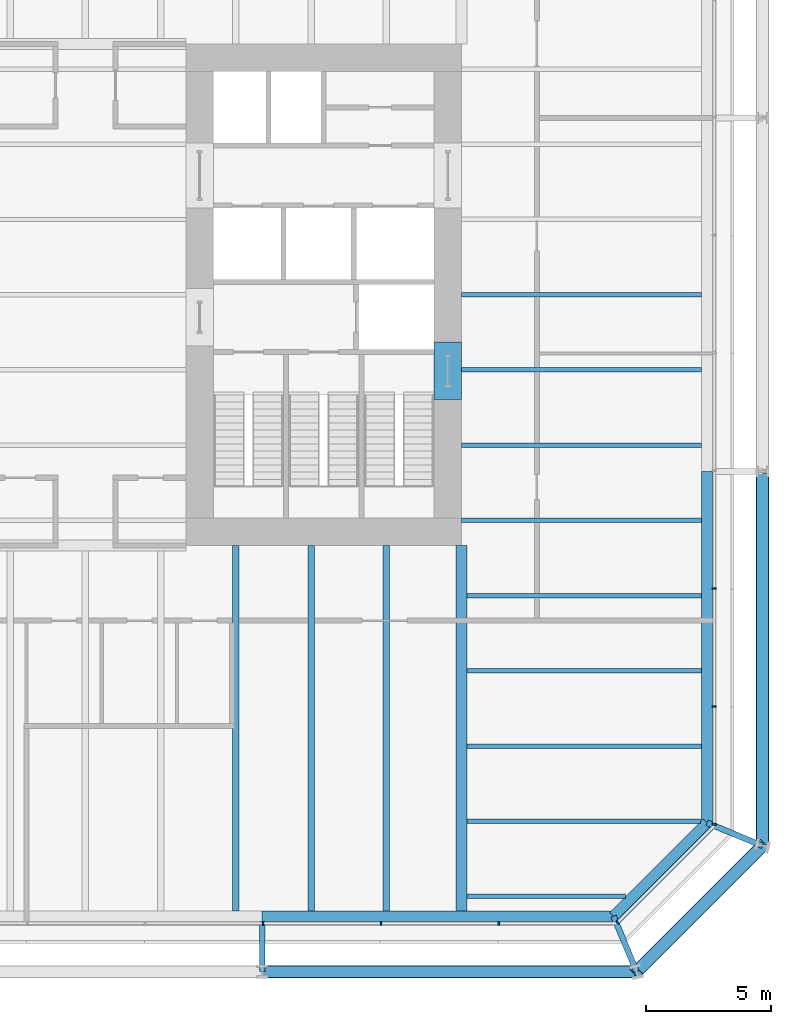
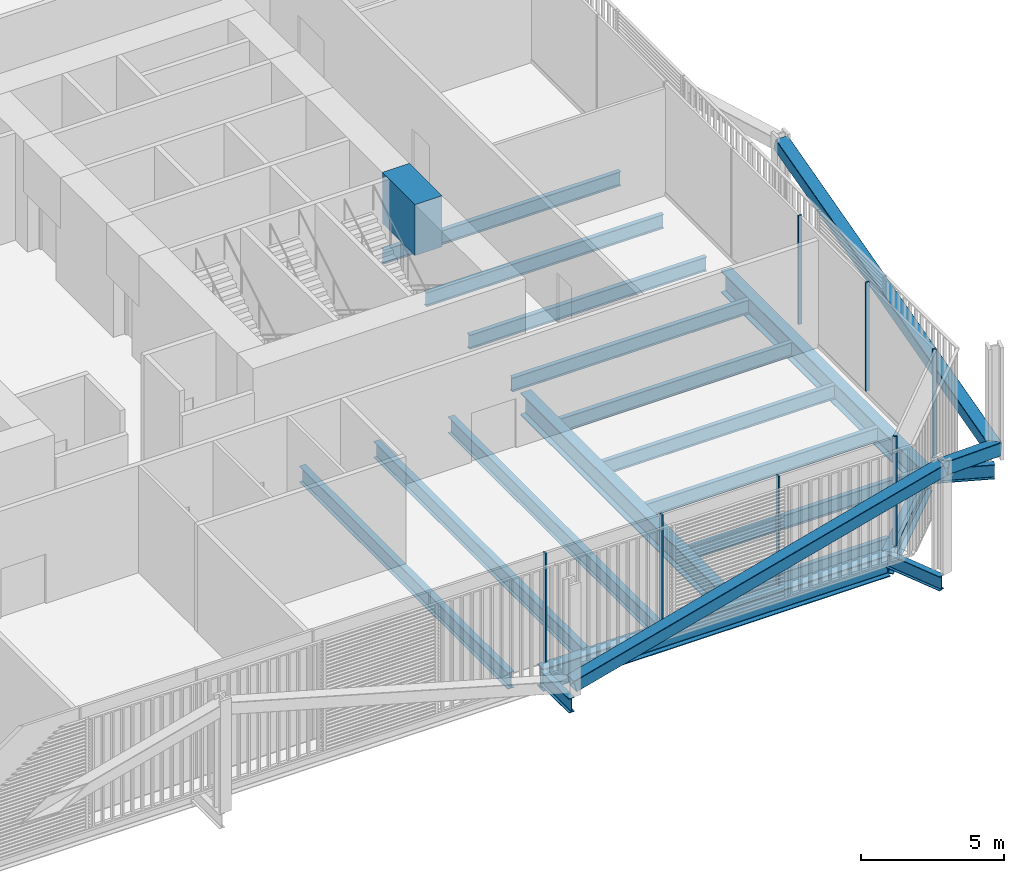
# One storey, part 8 of 22: 20 beams, 11 members, 3 elements without a shape of their own.
"""IFC4 building model written with IfcOpenShell, lengths in metres."""

from ifc_helpers import new_model, si_unit, direction, frame, origin, origin_2d, place, context, subcontext, project, spatial, rectangle, hollow_rectangle, i_section, extrude, material, layer, layer_set, material_profile, profile_set, type_object, element, aggregate, save


model = new_model("IFC4")

# Units and contexts
model_context = context("Model", 3, precision=1e-05, world=origin(), true_north=direction((0.0, 1.0)))
body_context = subcontext(model_context, "Body", "Model", "MODEL_VIEW")
ifc_project = project(units=[si_unit("LENGTHUNIT", "METRE"), si_unit("AREAUNIT", "SQUARE_METRE"), si_unit("VOLUMEUNIT", "CUBIC_METRE"), si_unit("PLANEANGLEUNIT", "RADIAN"), si_unit("MASSUNIT", "GRAM", prefix="KILO")], contexts=[model_context])

# Site, building, storey
site_placement = place(None, origin())
site = spatial("IfcSite", under=ifc_project, at=site_placement, CompositionType="ELEMENT")
building_placement = place(site_placement, origin())
building = spatial("IfcBuilding", under=site, at=building_placement, Name="Millrace Tower", CompositionType="ELEMENT")
storey_placement = place(building_placement, frame((0.0, 0.0, 30.5)))
storey = spatial("IfcBuildingStorey", under=building, at=storey_placement, Name="L07", CompositionType="ELEMENT", Elevation=30.5)

# Curtain wall, members
ifc_material_1 = material(Name="Aluminium and glass", Category="aluminium")
ifc_layer = layer(ifc_material_1, 0.14990234375)
ifc_layer_set = layer_set([ifc_layer], Name="Aluminium and glass")
curtain_wall_type = type_object("IfcCurtainWallType", Name="CW-2 data hall insulated curtain wall", PredefinedType="NOTDEFINED", material=ifc_layer_set)
placement = place(storey_placement, origin())
curtain_wall_1 = element("IfcCurtainWall", 1, at=placement, inside=storey, type_object=curtain_wall_type, Name="Curtain wall A-F02 L07", PredefinedType="NOTDEFINED")
ifc_material_2 = material(Name="Aluminium", Category="aluminium")
ifc_material_profile_1 = material_profile(ifc_material_2, rectangle(XDim=0.06494140625, YDim=0.14990234375, at=origin_2d()))
ifc_profile_set_1 = profile_set([ifc_material_profile_1], Name="Aluminium")
member_type_1 = type_object("IfcMemberType", Name="CW-2 data hall insulated curtain wall mullion", PredefinedType="MULLION", material=ifc_profile_set_1)
member_1_placement = place(storey_placement, frame((7.08251953125, -25.074951171875, 0.159912109375), z_axis=(0.0, 0.0, 1.0), x_axis=(1.0, 0.0, 0.0)))
member_1 = element("IfcMember", 2, at=member_1_placement, type_object=member_type_1, Name="CW2 mullion A-F02.7", PredefinedType="MULLION", context=body_context, shape_type="SweptSolid", body=[
    extrude(rectangle(XDim=0.06494140625, YDim=0.14990234375, at=origin_2d()), origin(), (0.0, 0.0, 1.0), 4.64013671875),
])
member_2_placement = place(storey_placement, frame((11.782470703125, -25.074951171875, 0.159912109375), z_axis=(0.0, 0.0, 1.0), x_axis=(1.0, 0.0, 0.0)))
member_2 = element("IfcMember", 3, at=member_2_placement, type_object=member_type_1, Name="CW2 mullion A-F02.8", PredefinedType="MULLION", context=body_context, shape_type="SweptSolid", body=[
    extrude(rectangle(XDim=0.06494140625, YDim=0.14990234375, at=origin_2d()), origin(), (0.0, 0.0, 1.0), 4.64013671875),
])
member_3_placement = place(storey_placement, frame((16.482421875, -25.074951171875, 0.159912109375), z_axis=(0.0, 0.0, 1.0), x_axis=(1.0, 0.0, 0.0)))
member_3 = element("IfcMember", 4, at=member_3_placement, type_object=member_type_1, Name="CW2 mullion A-F02.9", PredefinedType="MULLION", context=body_context, shape_type="SweptSolid", body=[
    extrude(rectangle(XDim=0.06494140625, YDim=0.14990234375, at=origin_2d()), origin(), (0.0, 0.0, 1.0), 4.64013671875),
])
aggregate(curtain_wall_1, [member_1, member_2, member_3])

# Curtain wall, member
curtain_wall_2 = element("IfcCurtainWall", 5, at=placement, inside=storey, type_object=curtain_wall_type, Name="Curtain wall A-F03 L07", PredefinedType="NOTDEFINED")
member_4_placement = place(storey_placement, frame((21.22607421875, -25.030029296875, 0.159912109375), z_axis=(0.0, 0.0, 1.0), x_axis=(0.707106781187, 0.707106781187, 0.0)))
member_4 = element("IfcMember", 6, at=member_4_placement, type_object=member_type_1, Name="CW2 mullion A-F03.1", PredefinedType="MULLION", context=body_context, shape_type="SweptSolid", body=[
    extrude(rectangle(XDim=0.06494140625, YDim=0.14990234375, at=origin_2d()), origin(), (0.0, 0.0, 1.0), 4.64013671875),
])

# Curtain wall, members
curtain_wall_3 = element("IfcCurtainWall", 7, at=placement, inside=storey, type_object=curtain_wall_type, Name="Curtain wall A-F04 L07", PredefinedType="NOTDEFINED")
member_5_placement = place(storey_placement, frame((25.074951171875, -21.117431640625, 0.159912109375), z_axis=(0.0, 0.0, 1.0), x_axis=(0.0, 1.0, 0.0)))
member_5 = element("IfcMember", 8, at=member_5_placement, type_object=member_type_1, Name="CW2 mullion A-F04.1", PredefinedType="MULLION", context=body_context, shape_type="SweptSolid", body=[
    extrude(rectangle(XDim=0.06494140625, YDim=0.14990234375, at=origin_2d()), origin(), (0.0, 0.0, 1.0), 4.64013671875),
])
member_6_placement = place(storey_placement, frame((25.074951171875, -16.41748046875, 0.159912109375), z_axis=(0.0, 0.0, 1.0), x_axis=(0.0, 1.0, 0.0)))
member_6 = element("IfcMember", 9, at=member_6_placement, type_object=member_type_1, Name="CW2 mullion A-F04.2", PredefinedType="MULLION", context=body_context, shape_type="SweptSolid", body=[
    extrude(rectangle(XDim=0.06494140625, YDim=0.14990234375, at=origin_2d()), origin(), (0.0, 0.0, 1.0), 4.64013671875),
])
member_7_placement = place(storey_placement, frame((25.074951171875, -11.717529296875, 0.159912109375), z_axis=(0.0, 0.0, 1.0), x_axis=(0.0, 1.0, 0.0)))
member_7 = element("IfcMember", 10, at=member_7_placement, type_object=member_type_1, Name="CW2 mullion A-F04.3", PredefinedType="MULLION", context=body_context, shape_type="SweptSolid", body=[
    extrude(rectangle(XDim=0.06494140625, YDim=0.14990234375, at=origin_2d()), origin(), (0.0, 0.0, 1.0), 4.64013671875),
])
aggregate(curtain_wall_3, [member_5, member_6, member_7])

# Member
ifc_material_3 = material(Name="Aluminium", Category="aluminium")
ifc_material_profile_2 = material_profile(ifc_material_3, rectangle(XDim=0.14990234375, YDim=0.159912109375, at=origin_2d()))
ifc_profile_set_2 = profile_set([ifc_material_profile_2], Name="Aluminium")
member_type_2 = type_object("IfcMemberType", Name="CW-2 data hall insulated curtain wall transom", PredefinedType="USERDEFINED", material=ifc_profile_set_2)
member_8_placement = place(storey_placement, frame((21.273681640625, -24.982421875, 0.080078125), z_axis=(0.707106781187, 0.707106781187, 0.0), x_axis=(-0.707106781187, 0.707106781187, 0.0)))
member_8 = element("IfcMember", 11, at=member_8_placement, type_object=member_type_2, Name="CW2 transom A-F03.1", ObjectType="TRANSOM", PredefinedType="USERDEFINED", context=body_context, shape_type="SweptSolid", body=[
    extrude(rectangle(XDim=0.14990234375, YDim=0.159912109375, at=origin_2d()), origin(), (0.0, 0.0, 1.0), 5.244873046875),
])

aggregate(curtain_wall_2, [member_4, member_8])

# Beam
ifc_material_4 = material(Name="Concrete C80", Category="concrete")
ifc_material_profile_3 = material_profile(ifc_material_4, rectangle(XDim=1.10009765625, YDim=2.175048828125, at=origin_2d()))
ifc_profile_set_3 = profile_set([ifc_material_profile_3], Name="Concrete C80")
beam_type_1 = type_object("IfcBeamType", Name="Coupling beam 1100 x 2175 Concrete C80, 1300 opening", PredefinedType="BEAM", material=ifc_profile_set_3)
beam_1_placement = place(storey_placement, frame((14.449951171875, -1.88818359375, 3.487548828125), z_axis=(0.0, -1.0, 0.0), x_axis=(1.0, 0.0, 0.0)))
element("IfcBeam", 12, at=beam_1_placement, inside=storey, type_object=beam_type_1, Name="Coupling beam E L07", PredefinedType="BEAM", context=body_context, shape_type="SweptSolid", body=[
    extrude(rectangle(XDim=1.10009765625, YDim=2.175048828125, at=origin_2d()), origin(), (0.0, 0.0, 1.0), 2.28369140625),
])

# Members
ifc_material_5 = material(Name="Steel ASTM A500 Grade C", Category="steel")
ifc_material_profile_4 = material_profile(ifc_material_5, hollow_rectangle(XDim=0.508056640625, YDim=0.508056640625, WallThickness=0.022216796875, InnerFilletRadius=0.01123046875, OuterFilletRadius=0.033447265625, at=origin_2d()))
ifc_profile_set_4 = profile_set([ifc_material_profile_4], Name="Steel ASTM A500 Grade C")
member_type_3 = type_object("IfcMemberType", Name="Exoskeleton brace HSS20x20x7/8", PredefinedType="BRACE", material=ifc_profile_set_4)
member_9_placement = place(storey_placement, frame((7.050048828125, -27.0, 0.39990234375), z_axis=(0.965926968663, 0.0, 0.258814781667), x_axis=(0.0, 1.0, 0.0)))
element("IfcMember", 13, at=member_9_placement, inside=storey, type_object=member_type_3, Name="BRC-A-L07-04", PredefinedType="BRACE", context=body_context, shape_type="SweptSolid", body=[
    extrude(hollow_rectangle(XDim=0.508056640625, YDim=0.508056640625, WallThickness=0.022216796875, InnerFilletRadius=0.01123046875, OuterFilletRadius=0.033447265625, at=origin_2d()), origin(), (0.0, 0.0, 1.0), 15.455078125),
])
member_10_placement = place(storey_placement, frame((27.0, -21.978515625, 0.39990234375), z_axis=(-0.616095438492, -0.616095438492, 0.490767583831), x_axis=(0.707106781187, -0.707106781187, 0.0)))
element("IfcMember", 14, at=member_10_placement, inside=storey, type_object=member_type_3, Name="BRC-A-L07-05", PredefinedType="BRACE", context=body_context, shape_type="SweptSolid", body=[
    extrude(hollow_rectangle(XDim=0.508056640625, YDim=0.508056640625, WallThickness=0.022216796875, InnerFilletRadius=0.01123046875, OuterFilletRadius=0.033447265625, at=origin_2d()), origin(), (0.0, 0.0, 1.0), 8.150390625),
])
member_11_placement = place(storey_placement, frame((27.0, -21.978515625, 0.39990234375), z_axis=(0.0, 0.965926968663, 0.258814781667), x_axis=(-1.0, 0.0, 0.0)))
element("IfcMember", 15, at=member_11_placement, inside=storey, type_object=member_type_3, Name="BRC-A-L07-06", PredefinedType="BRACE", context=body_context, shape_type="SweptSolid", body=[
    extrude(hollow_rectangle(XDim=0.508056640625, YDim=0.508056640625, WallThickness=0.022216796875, InnerFilletRadius=0.01123046875, OuterFilletRadius=0.033447265625, at=origin_2d()), origin(), (0.0, 0.0, 1.0), 15.455078125),
])

# Beams
ifc_material_6 = material(Name="Steel ASTM A992 Grade 50", Category="steel")
ifc_material_profile_5 = material_profile(ifc_material_6, i_section(OverallWidth=0.177978515625, OverallDepth=0.599365234375, WebThickness=0.010009765625, FlangeThickness=0.012939453125, FilletRadius=0.012939453125, at=origin_2d()))
ifc_profile_set_5 = profile_set([ifc_material_profile_5], Name="Steel ASTM A992 Grade 50")
beam_type_2 = type_object("IfcBeamType", Name="Floor beam W24x55", PredefinedType="JOIST", material=ifc_profile_set_5)
beam_2_placement = place(storey_placement, frame((15.212158203125, -24.0, -0.524658203125), z_axis=(1.0, 0.0, 0.0), x_axis=(0.0, 1.0, 0.0)))
element("IfcBeam", 16, at=beam_2_placement, inside=storey, type_object=beam_type_2, Name="BM-A-L07-S1-S002", PredefinedType="JOIST", context=body_context, shape_type="SweptSolid", body=[
    extrude(i_section(OverallWidth=0.177978515625, OverallDepth=0.599365234375, WebThickness=0.010009765625, FlangeThickness=0.012939453125, FilletRadius=0.012939453125, at=origin_2d()), origin(), (0.0, 0.0, 1.0), 6.317626953125),
])
ifc_material_7 = material(Name="Steel ASTM A992 Grade 50", Category="steel")
ifc_material_profile_6 = material_profile(ifc_material_7, i_section(OverallWidth=0.1787109375, OverallDepth=0.60205078125, WebThickness=0.010986328125, FlangeThickness=0.014892578125, FilletRadius=0.0126953125, at=origin_2d()))
ifc_profile_set_6 = profile_set([ifc_material_profile_6], Name="Steel ASTM A992 Grade 50")
beam_type_3 = type_object("IfcBeamType", Name="Floor beam W24x62", PredefinedType="JOIST", material=ifc_profile_set_6)
for number, where, z_axis, x_axis, name in (
    (17, (15.212158203125, -18.0, -0.52587890625), (1.0, 0.0, 0.0), (0.0, 1.0, 0.0), "BM-A-L07-S1-S006"),
    (18, (15.212158203125, -15.0, -0.52587890625), (1.0, 0.0, 0.0), (0.0, 1.0, 0.0), "BM-A-L07-S1-S008"),
    (19, (15.212158203125, -12.0, -0.52587890625), (1.0, 0.0, 0.0), (0.0, 1.0, 0.0), "BM-A-L07-S1-S010"),
):
    element("IfcBeam", number, at=place(storey_placement, frame(where, z_axis=z_axis, x_axis=x_axis)), inside=storey, type_object=beam_type_3, Name=name, PredefinedType="JOIST", context=body_context, shape_type="SweptSolid", body=[
        extrude(i_section(OverallWidth=0.1787109375, OverallDepth=0.60205078125, WebThickness=0.010986328125, FlangeThickness=0.014892578125, FilletRadius=0.0126953125, at=origin_2d()), origin(), (0.0, 0.0, 1.0), 9.3662109375),
    ])
for number, where, z_axis, x_axis, name in (
    (20, (15.0, -9.0, -0.52587890625), (1.0, 0.0, 0.0), (0.0, 1.0, 0.0), "BM-A-L07-S1-S013"),
    (21, (15.0, -6.0, -0.52587890625), (1.0, 0.0, 0.0), (0.0, 1.0, 0.0), "BM-A-L07-S1-S016"),
    (22, (15.0, -3.0, -0.52587890625), (1.0, 0.0, 0.0), (0.0, 1.0, 0.0), "BM-A-L07-S1-S019"),
    (23, (15.0, 0.0, -0.52587890625), (1.0, 0.0, 0.0), (0.0, 1.0, 0.0), "BM-A-L07-S1-S022"),
):
    element("IfcBeam", number, at=place(storey_placement, frame(where, z_axis=z_axis, x_axis=x_axis)), inside=storey, type_object=beam_type_3, Name=name, PredefinedType="JOIST", context=body_context, shape_type="SweptSolid", body=[
        extrude(i_section(OverallWidth=0.1787109375, OverallDepth=0.60205078125, WebThickness=0.010986328125, FlangeThickness=0.014892578125, FilletRadius=0.0126953125, at=origin_2d()), origin(), (0.0, 0.0, 1.0), 9.578369140625),
    ])
beam_3_placement = place(storey_placement, frame((15.212158203125, -21.0, -0.52587890625), z_axis=(1.0, 0.0, 0.0), x_axis=(0.0, 1.0, 0.0)))
element("IfcBeam", 24, at=beam_3_placement, inside=storey, type_object=beam_type_3, Name="BM-A-L07-S1-S004", PredefinedType="JOIST", context=body_context, shape_type="SweptSolid", body=[
    extrude(i_section(OverallWidth=0.1787109375, OverallDepth=0.60205078125, WebThickness=0.010986328125, FlangeThickness=0.014892578125, FilletRadius=0.0126953125, at=origin_2d()), origin(), (0.0, 0.0, 1.0), 9.317626953125),
])
ifc_material_8 = material(Name="Steel ASTM A992 Grade 50", Category="steel")
ifc_material_profile_7 = material_profile(ifc_material_8, i_section(OverallWidth=0.256591796875, OverallDepth=0.693359375, WebThickness=0.014404296875, FlangeThickness=0.023681640625, FilletRadius=0.01513671875, at=origin_2d()))
ifc_profile_set_7 = profile_set([ifc_material_profile_7], Name="Steel ASTM A992 Grade 50")
beam_type_4 = type_object("IfcBeamType", Name="Floor beam W27x114", PredefinedType="JOIST", material=ifc_profile_set_7)
for number, where, z_axis, x_axis, name in (
    (25, (6.0, -24.578369140625, -0.57177734375), (0.0, 1.0, 0.0), (-1.0, 0.0, 0.0), "BM-A-L07-S1-S055"),
    (26, (9.0, -24.578369140625, -0.57177734375), (0.0, 1.0, 0.0), (-1.0, 0.0, 0.0), "BM-A-L07-S1-S057"),
    (27, (12.0, -24.578369140625, -0.57177734375), (0.0, 1.0, 0.0), (-1.0, 0.0, 0.0), "BM-A-L07-S1-S059"),
):
    element("IfcBeam", number, at=place(storey_placement, frame(where, z_axis=z_axis, x_axis=x_axis)), inside=storey, type_object=beam_type_4, Name=name, PredefinedType="JOIST", context=body_context, shape_type="SweptSolid", body=[
        extrude(i_section(OverallWidth=0.256591796875, OverallDepth=0.693359375, WebThickness=0.014404296875, FlangeThickness=0.023681640625, FilletRadius=0.01513671875, at=origin_2d()), origin(), (0.0, 0.0, 1.0), 14.578369140625),
    ])
ifc_material_9 = material(Name="Steel ASTM A992 Grade 50", Category="steel")
ifc_material_profile_8 = material_profile(ifc_material_9, i_section(OverallWidth=0.424072265625, OverallDepth=0.947509765625, WebThickness=0.02392578125, FlangeThickness=0.042724609375, FilletRadius=0.024169921875, at=origin_2d()))
ifc_profile_set_8 = profile_set([ifc_material_profile_8], Name="Steel ASTM A992 Grade 50")
beam_type_5 = type_object("IfcBeamType", Name="Girder medium span W36x302", PredefinedType="BEAM", material=ifc_profile_set_8)
beam_4_placement = place(storey_placement, frame((15.0, -24.578369140625, -0.69873046875), z_axis=(0.0, 1.0, 0.0), x_axis=(-1.0, 0.0, 0.0)))
element("IfcBeam", 28, at=beam_4_placement, inside=storey, type_object=beam_type_5, Name="BM-A-L07-S1-G063", PredefinedType="BEAM", context=body_context, shape_type="SweptSolid", body=[
    extrude(i_section(OverallWidth=0.424072265625, OverallDepth=0.947509765625, WebThickness=0.02392578125, FlangeThickness=0.042724609375, FilletRadius=0.024169921875, at=origin_2d()), origin(), (0.0, 0.0, 1.0), 14.578369140625),
])
ifc_material_10 = material(Name="Steel ASTM A992 Grade 50", Category="steel")
ifc_material_profile_9 = material_profile(ifc_material_10, i_section(OverallWidth=0.23046875, OverallDepth=0.6171875, WebThickness=0.01318359375, FlangeThickness=0.022216796875, FilletRadius=0.012939453125, at=origin_2d()))
ifc_profile_set_9 = profile_set([ifc_material_profile_9], Name="Steel ASTM A992 Grade 50")
beam_type_6 = type_object("IfcBeamType", Name="Link beam W24x94", PredefinedType="BEAM", material=ifc_profile_set_9)
for number, where, z_axis, x_axis, name in (
    (29, (24.7890625, -21.062744140625, -0.53369140625), (0.923883789366, -0.382673155247, 0.0), (0.382673155247, 0.923883789366, 0.0), "LNK-A-L07-S1-12"),
    (30, (21.062744140625, -24.7890625, -0.53369140625), (0.382673155247, -0.923883789366, 0.0), (0.923883789366, 0.382673155247, 0.0), "LNK-A-L07-S1-13"),
):
    element("IfcBeam", number, at=place(storey_placement, frame(where, z_axis=z_axis, x_axis=x_axis)), inside=storey, type_object=beam_type_6, Name=name, PredefinedType="BEAM", context=body_context, shape_type="SweptSolid", body=[
        extrude(i_section(OverallWidth=0.23046875, OverallDepth=0.6171875, WebThickness=0.01318359375, FlangeThickness=0.022216796875, FilletRadius=0.012939453125, at=origin_2d()), origin(), (0.0, 0.0, 1.0), 2.39306640625),
    ])
beam_5_placement = place(storey_placement, frame((7.050048828125, -25.0, -0.53369140625), z_axis=(0.0, -1.0, 0.0), x_axis=(1.0, 0.0, 0.0)))
element("IfcBeam", 31, at=beam_5_placement, inside=storey, type_object=beam_type_6, Name="LNK-A-L07-S1-14", PredefinedType="BEAM", context=body_context, shape_type="SweptSolid", body=[
    extrude(i_section(OverallWidth=0.23046875, OverallDepth=0.6171875, WebThickness=0.01318359375, FlangeThickness=0.022216796875, FilletRadius=0.012939453125, at=origin_2d()), origin(), (0.0, 0.0, 1.0), 2.0),
])
ifc_material_11 = material(Name="Steel ASTM A992 Grade 50", Category="steel")
ifc_material_profile_10 = material_profile(ifc_material_11, i_section(OverallWidth=0.421630859375, OverallDepth=0.937255859375, WebThickness=0.021240234375, FlangeThickness=0.03662109375, FilletRadius=0.024169921875, at=origin_2d()))
ifc_profile_set_10 = profile_set([ifc_material_profile_10], Name="Steel ASTM A992 Grade 50")
beam_type_7 = type_object("IfcBeamType", Name="Ring beam medium span W36x262", PredefinedType="SPANDREL", material=ifc_profile_set_10)
for number, where, z_axis, x_axis, name in (
    (32, (24.7890625, -7.050048828125, -0.693603515625), (0.0, -1.0, 0.0), (1.0, 0.0, 0.0), "RNG-A-L07-S1-11"),
    (33, (21.062744140625, -24.7890625, -0.693603515625), (-1.0, 0.0, 0.0), (0.0, -1.0, 0.0), "RNG-A-L07-S1-13"),
):
    element("IfcBeam", number, at=place(storey_placement, frame(where, z_axis=z_axis, x_axis=x_axis)), inside=storey, type_object=beam_type_7, Name=name, PredefinedType="SPANDREL", context=body_context, shape_type="SweptSolid", body=[
        extrude(i_section(OverallWidth=0.421630859375, OverallDepth=0.937255859375, WebThickness=0.021240234375, FlangeThickness=0.03662109375, FilletRadius=0.024169921875, at=origin_2d()), origin(), (0.0, 0.0, 1.0), 14.0126953125),
    ])
ifc_material_12 = material(Name="Steel ASTM A992 Grade 50", Category="steel")
ifc_material_profile_11 = material_profile(ifc_material_12, i_section(OverallWidth=0.421630859375, OverallDepth=0.937255859375, WebThickness=0.021240234375, FlangeThickness=0.03662109375, FilletRadius=0.024169921875, at=origin_2d()))
ifc_profile_set_11 = profile_set([ifc_material_profile_11], Name="Steel ASTM A992 Grade 50")
beam_type_8 = type_object("IfcBeamType", Name="Ring beam short span W36x262", PredefinedType="SPANDREL", material=ifc_profile_set_11)
beam_6_placement = place(storey_placement, frame((24.7890625, -21.062744140625, -0.693603515625), z_axis=(-0.707106781187, -0.707106781187, 0.0), x_axis=(0.707106781187, -0.707106781187, 0.0)))
element("IfcBeam", 34, at=beam_6_placement, inside=storey, type_object=beam_type_8, Name="RNG-A-L07-S1-12", PredefinedType="SPANDREL", context=body_context, shape_type="SweptSolid", body=[
    extrude(i_section(OverallWidth=0.421630859375, OverallDepth=0.937255859375, WebThickness=0.021240234375, FlangeThickness=0.03662109375, FilletRadius=0.024169921875, at=origin_2d()), origin(), (0.0, 0.0, 1.0), 5.269775390625),
])

save(model, "model.ifc")
